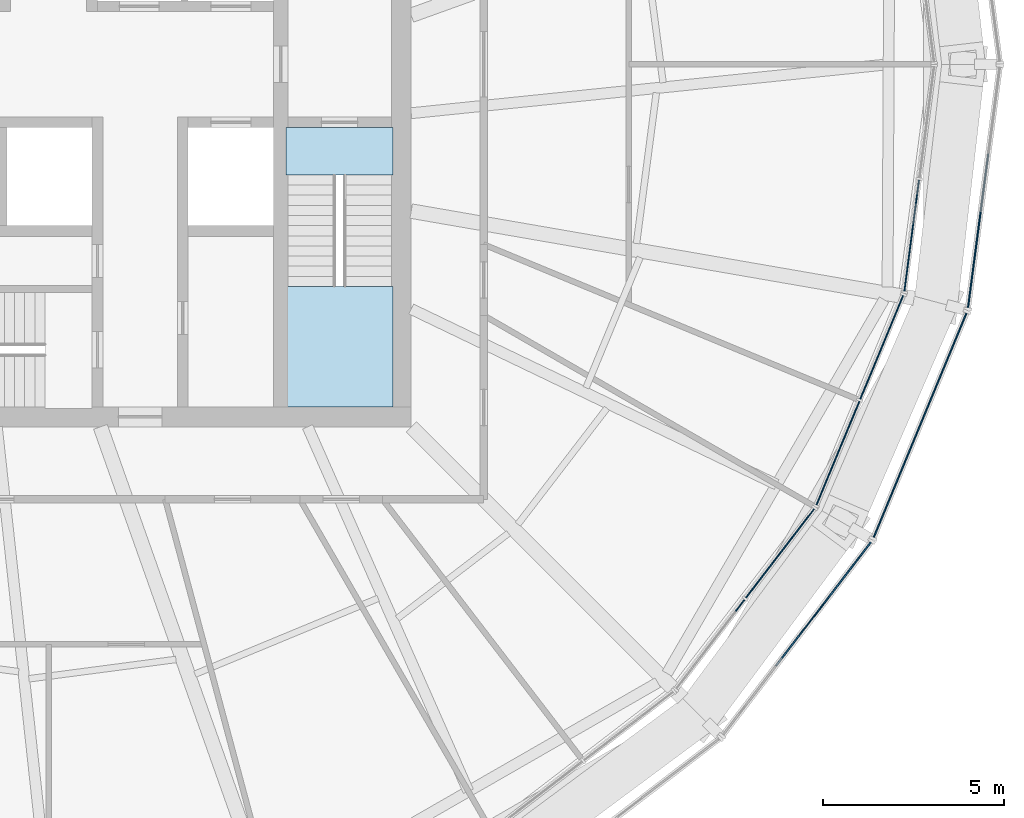
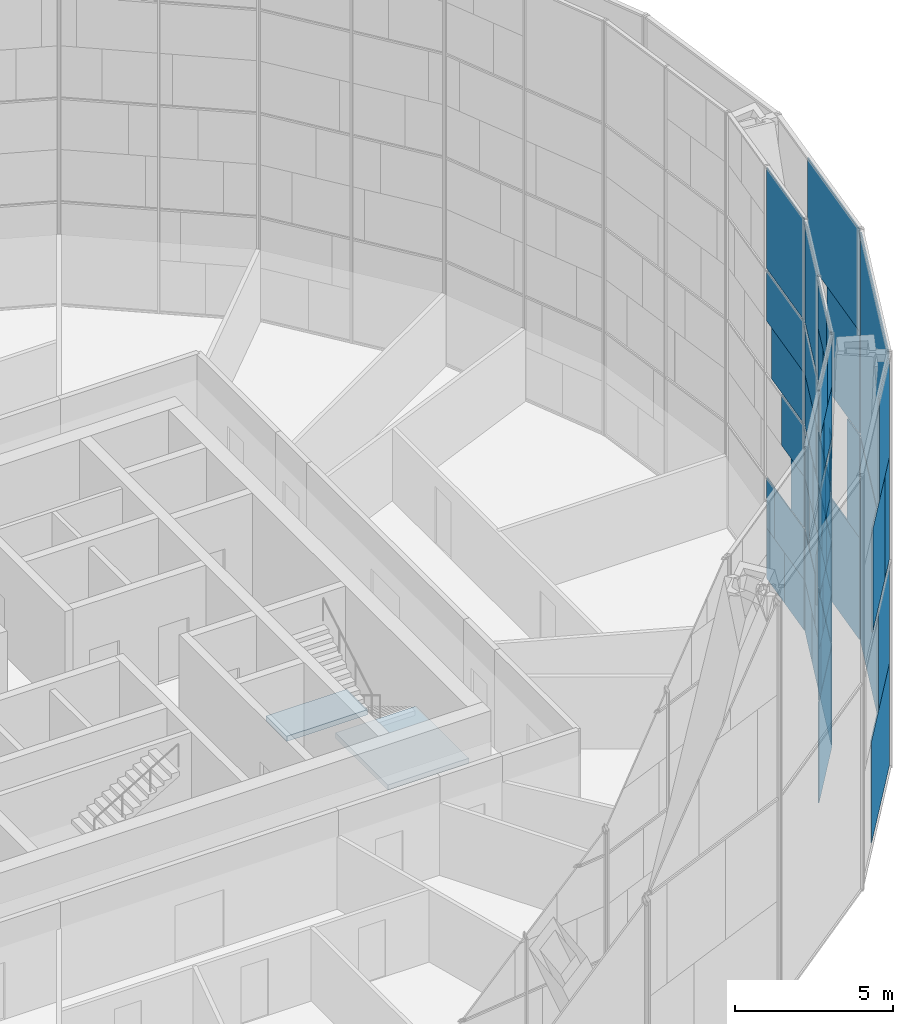
# One storey, part 18 of 28: 59 plates, 2 slabs, 7 elements without a shape of their own.
"""IFC4 building model written with IfcOpenShell, lengths in metres."""

from ifc_helpers import new_model, si_unit, direction, frame, origin, origin_2d, place, context, subcontext, project, spatial, polyline, rectangle, outline, extrude, material, layer, layer_set, type_object, element, aggregate, save


model = new_model("IFC4")

# Units and contexts
model_context = context("Model", 3, precision=1e-05, world=origin(), true_north=direction((0.0, 1.0)))
body_context = subcontext(model_context, "Body", "Model", "MODEL_VIEW")
ifc_project = project(units=[si_unit("LENGTHUNIT", "METRE"), si_unit("AREAUNIT", "SQUARE_METRE"), si_unit("VOLUMEUNIT", "CUBIC_METRE"), si_unit("PLANEANGLEUNIT", "RADIAN"), si_unit("MASSUNIT", "GRAM", prefix="KILO")], contexts=[model_context])

# Site, building, storey
site_placement = place(None, origin())
site = spatial("IfcSite", under=ifc_project, at=site_placement, CompositionType="ELEMENT")
building_placement = place(site_placement, origin())
building = spatial("IfcBuilding", under=site, at=building_placement, Name="Golbaran Civic Tower", CompositionType="ELEMENT")
storey_placement = place(building_placement, frame((0.0, 0.0, 134.0)))
storey = spatial("IfcBuildingStorey", under=building, at=storey_placement, Name="L32", CompositionType="ELEMENT", Elevation=134.0)

# Curtain wall, plates
ifc_material_1 = material(Name="Aluminium and glass", Category="aluminium")
curtain_wall_type_1 = type_object("IfcCurtainWallType", Name="INNER SKIN CURTAIN WALL", PredefinedType="NOTDEFINED", material=ifc_material_1)
curtain_wall_1_placement = place(storey_placement, origin())
curtain_wall_1 = element("IfcCurtainWall", 1, at=curtain_wall_1_placement, inside=storey, type_object=curtain_wall_type_1, Name="Inner skin L32 facet 22 CW1", ObjectType="INNER SKIN", PredefinedType="USERDEFINED")
ifc_material_2 = material(Name="Clear insulating glass", Category="glass")
ifc_layer_1 = layer(ifc_material_2, 0.031982421875, Name="Clear insulating glass")
ifc_layer_set_1 = layer_set([ifc_layer_1], Name="Clear insulating glass")
plate_type_1 = type_object("IfcPlateType", Name="INNER SKIN CURTAIN WALL GLAZED PANEL", PredefinedType="CURTAIN_PANEL", material=ifc_layer_set_1)
plate_1_placement = place(storey_placement, frame((20.17236328125, -13.489990234375, 0.06494140625), z_axis=(0.0, 0.0, 1.0), x_axis=(0.60876142905, 0.793353340259, 0.0)))
plate_1 = element("IfcPlate", 2, at=plate_1_placement, type_object=plate_type_1, Name="CW1 panel 2.1", PredefinedType="CURTAIN_PANEL", context=body_context, shape_type="SweptSolid", body=[
    extrude(rectangle(XDim=3.090576171875, YDim=0.031982421875, at=origin_2d()), origin(), (0.0, 0.0, 1.0), 3.902587890625),
])
plate_2_placement = place(storey_placement, frame((20.29443359375, -13.3310546875, 4.03271484375), z_axis=(0.0, 0.0, 1.0), x_axis=(0.60876142905, 0.793353340259, 0.0)))
plate_2 = element("IfcPlate", 3, at=plate_2_placement, type_object=plate_type_1, Name="CW1 panel 2.2 part 2", PredefinedType="CURTAIN_PANEL", context=body_context, shape_type="SweptSolid", body=[
    extrude(rectangle(XDim=2.689697265625, YDim=0.031982421875, at=origin_2d()), origin(), (0.0, 0.0, 1.0), 1.967529296875),
])
plate_3_placement = place(storey_placement, frame((20.458251953125, -13.11767578125, 6.0), z_axis=(0.0, 0.0, 1.0), x_axis=(0.60876142905, 0.793353340259, 0.0)))
plate_3 = element("IfcPlate", 4, at=plate_3_placement, type_object=plate_type_1, Name="CW1 panel 2.2 part 4", PredefinedType="CURTAIN_PANEL", context=body_context, shape_type="SweptSolid", body=[
    extrude(rectangle(XDim=2.151611328125, YDim=0.031982421875, at=origin_2d()), origin(), (0.0, 0.0, 1.0), 1.967529296875),
])
plate_4_placement = place(storey_placement, frame((20.713623046875, -12.78466796875, 8.03271484375), z_axis=(0.0, 0.0, 1.0), x_axis=(0.60876142905, 0.793353340259, 0.0)))
plate_4 = element("IfcPlate", 5, at=plate_4_placement, type_object=plate_type_1, Name="CW1 panel 2.3 part 2", PredefinedType="CURTAIN_PANEL", context=body_context, shape_type="SweptSolid", body=[
    extrude(rectangle(XDim=1.3125, YDim=0.031982421875, at=origin_2d()), origin(), (0.0, 0.0, 1.0), 1.967529296875),
])
plate_5_placement = place(storey_placement, frame((20.96044921875, -12.463134765625, 10.0), z_axis=(0.0, 0.0, 1.0), x_axis=(0.60876142905, 0.793353340259, 0.0)))
plate_5 = element("IfcPlate", 6, at=plate_5_placement, type_object=plate_type_1, Name="CW1 panel 2.3 part 4", PredefinedType="CURTAIN_PANEL", context=body_context, shape_type="SweptSolid", body=[
    extrude(rectangle(XDim=0.501708984375, YDim=0.031982421875, at=origin_2d()), origin(), (0.0, 0.0, 1.0), 1.967529296875),
])
plate_6_placement = place(storey_placement, frame((19.602294921875, -14.23291015625, 12.032470703125), z_axis=(0.0, 0.0, 1.0), x_axis=(0.60876142905, 0.793353340259, 0.0)))
plate_6 = element("IfcPlate", 7, at=plate_6_placement, type_object=plate_type_1, Name="CW1 panel 2.4 part 1", PredefinedType="CURTAIN_PANEL", context=body_context, shape_type="SweptSolid", body=[
    extrude(rectangle(XDim=1.218017578125, YDim=0.031982421875, at=origin_2d()), origin(), (0.0, 0.0, 1.0), 1.951171875),
])
plate_7_placement = place(storey_placement, frame((19.847412109375, -13.91357421875, 13.98388671875), z_axis=(0.0, 0.0, 1.0), x_axis=(0.60876142905, 0.793353340259, 0.0)))
plate_7 = element("IfcPlate", 8, at=plate_7_placement, type_object=plate_type_1, Name="CW1 panel 2.4 part 3", PredefinedType="CURTAIN_PANEL", context=body_context, shape_type="SweptSolid", body=[
    extrude(rectangle(XDim=2.02294921875, YDim=0.031982421875, at=origin_2d()), origin(), (0.0, 0.0, 1.0), 1.951171875),
])

curtain_wall_2_placement = place(storey_placement, origin())
curtain_wall_2 = element("IfcCurtainWall", 9, at=curtain_wall_2_placement, inside=storey, type_object=curtain_wall_type_1, Name="Inner skin L32 facet 23 CW1", ObjectType="INNER SKIN", PredefinedType="USERDEFINED")
plate_8_placement = place(storey_placement, frame((21.768798828125, -10.724853515625, 0.06494140625), z_axis=(0.0, 0.0, 1.0), x_axis=(0.38268343243, 0.923879532485, 0.0)))
plate_8 = element("IfcPlate", 10, at=plate_8_placement, type_object=plate_type_1, Name="CW1 panel 1.1", PredefinedType="CURTAIN_PANEL", context=body_context, shape_type="SweptSolid", body=[
    extrude(rectangle(XDim=3.090576171875, YDim=0.031982421875, at=origin_2d()), origin(), (0.0, 0.0, 1.0), 3.902587890625),
])
plate_9_placement = place(storey_placement, frame((21.692138671875, -10.910400390625, 4.03271484375), z_axis=(0.0, 0.0, 1.0), x_axis=(0.38268343243, 0.923879532485, 0.0)))
plate_9 = element("IfcPlate", 11, at=plate_9_placement, type_object=plate_type_1, Name="CW1 panel 1.2 part 1", PredefinedType="CURTAIN_PANEL", context=body_context, shape_type="SweptSolid", body=[
    extrude(rectangle(XDim=2.68896484375, YDim=0.031982421875, at=origin_2d()), origin(), (0.0, 0.0, 1.0), 1.967529296875),
])
plate_10_placement = place(storey_placement, frame((21.589111328125, -11.158935546875, 6.0), z_axis=(0.0, 0.0, 1.0), x_axis=(0.38268343243, 0.923879532485, 0.0)))
plate_10 = element("IfcPlate", 12, at=plate_10_placement, type_object=plate_type_1, Name="CW1 panel 1.2 part 3", PredefinedType="CURTAIN_PANEL", context=body_context, shape_type="SweptSolid", body=[
    extrude(rectangle(XDim=2.15087890625, YDim=0.031982421875, at=origin_2d()), origin(), (0.0, 0.0, 1.0), 1.967529296875),
])
plate_11_placement = place(storey_placement, frame((21.4287109375, -11.5458984375, 8.03271484375), z_axis=(0.0, 0.0, 1.0), x_axis=(0.38268343243, 0.923879532485, 0.0)))
plate_11 = element("IfcPlate", 13, at=plate_11_placement, type_object=plate_type_1, Name="CW1 panel 1.3 part 1", PredefinedType="CURTAIN_PANEL", context=body_context, shape_type="SweptSolid", body=[
    extrude(rectangle(XDim=1.31298828125, YDim=0.031982421875, at=origin_2d()), origin(), (0.0, 0.0, 1.0), 1.967529296875),
])
plate_12_placement = place(storey_placement, frame((21.2734375, -11.9208984375, 10.0), z_axis=(0.0, 0.0, 1.0), x_axis=(0.38268343243, 0.923879532485, 0.0)))
plate_12 = element("IfcPlate", 14, at=plate_12_placement, type_object=plate_type_1, Name="CW1 panel 1.3 part 3", PredefinedType="CURTAIN_PANEL", context=body_context, shape_type="SweptSolid", body=[
    extrude(rectangle(XDim=0.5009765625, YDim=0.031982421875, at=origin_2d()), origin(), (0.0, 0.0, 1.0), 1.967529296875),
])
plate_13_placement = place(storey_placement, frame((22.127197265625, -9.860107421875, 12.032470703125), z_axis=(0.0, 0.0, 1.0), x_axis=(0.38268343243, 0.923879532485, 0.0)))
plate_13 = element("IfcPlate", 15, at=plate_13_placement, type_object=plate_type_1, Name="CW1 panel 1.4 part 2", PredefinedType="CURTAIN_PANEL", context=body_context, shape_type="SweptSolid", body=[
    extrude(rectangle(XDim=1.218505859375, YDim=0.031982421875, at=origin_2d()), origin(), (0.0, 0.0, 1.0), 1.951171875),
])
plate_14_placement = place(storey_placement, frame((21.97314453125, -10.23193359375, 13.98388671875), z_axis=(0.0, 0.0, 1.0), x_axis=(0.38268343243, 0.923879532485, 0.0)))
plate_14 = element("IfcPlate", 16, at=plate_14_placement, type_object=plate_type_1, Name="CW1 panel 1.4 part 4", PredefinedType="CURTAIN_PANEL", context=body_context, shape_type="SweptSolid", body=[
    extrude(rectangle(XDim=2.023681640625, YDim=0.031982421875, at=origin_2d()), origin(), (0.0, 0.0, 1.0), 1.951171875),
])
plate_15_placement = place(storey_placement, frame((22.662841796875, -8.56689453125, 0.06494140625), z_axis=(0.0, 0.0, 1.0), x_axis=(0.38268343243, 0.923879532485, 0.0)))
plate_15 = element("IfcPlate", 17, at=plate_15_placement, type_object=plate_type_1, Name="CW1 panel 2.1 part 1", PredefinedType="CURTAIN_PANEL", context=body_context, shape_type="SweptSolid", body=[
    extrude(rectangle(XDim=1.450927734375, YDim=0.031982421875, at=origin_2d()), origin(), (0.0, 0.0, 1.0), 1.951171875),
])
plate_16_placement = place(storey_placement, frame((22.5087890625, -8.938720703125, 2.016357421875), z_axis=(0.0, 0.0, 1.0), x_axis=(0.38268343243, 0.923879532485, 0.0)))
plate_16 = element("IfcPlate", 18, at=plate_16_placement, type_object=plate_type_1, Name="CW1 panel 2.1 part 3", PredefinedType="CURTAIN_PANEL", context=body_context, shape_type="SweptSolid", body=[
    extrude(rectangle(XDim=0.64599609375, YDim=0.031982421875, at=origin_2d()), origin(), (0.0, 0.0, 1.0), 1.951171875),
])
plate_17_placement = place(storey_placement, frame((23.362548828125, -6.877685546875, 4.03271484375), z_axis=(0.0, 0.0, 1.0), x_axis=(0.38268343243, 0.923879532485, 0.0)))
plate_17 = element("IfcPlate", 19, at=plate_17_placement, type_object=plate_type_1, Name="CW1 panel 2.2 part 2", PredefinedType="CURTAIN_PANEL", context=body_context, shape_type="SweptSolid", body=[
    extrude(rectangle(XDim=1.073486328125, YDim=0.031982421875, at=origin_2d()), origin(), (0.0, 0.0, 1.0), 1.967529296875),
])
plate_18_placement = place(storey_placement, frame((23.207275390625, -7.252197265625, 6.0), z_axis=(0.0, 0.0, 1.0), x_axis=(0.38268343243, 0.923879532485, 0.0)))
plate_18 = element("IfcPlate", 20, at=plate_18_placement, type_object=plate_type_1, Name="CW1 panel 2.2 part 4", PredefinedType="CURTAIN_PANEL", context=body_context, shape_type="SweptSolid", body=[
    extrude(rectangle(XDim=1.884521484375, YDim=0.031982421875, at=origin_2d()), origin(), (0.0, 0.0, 1.0), 1.967529296875),
])
plate_19_placement = place(storey_placement, frame((23.05322265625, -7.6240234375, 8.03271484375), z_axis=(0.0, 0.0, 1.0), x_axis=(0.38268343243, 0.923879532485, 0.0)))
plate_19 = element("IfcPlate", 21, at=plate_19_placement, type_object=plate_type_1, Name="CW1 panel 2.3 part 2", PredefinedType="CURTAIN_PANEL", context=body_context, shape_type="SweptSolid", body=[
    extrude(rectangle(XDim=2.689697265625, YDim=0.031982421875, at=origin_2d()), origin(), (0.0, 0.0, 1.0), 1.967529296875),
])
plate_20_placement = place(storey_placement, frame((22.9765625, -7.809326171875, 10.0), z_axis=(0.0, 0.0, 1.0), x_axis=(0.38268343243, 0.923879532485, 0.0)))
plate_20 = element("IfcPlate", 22, at=plate_20_placement, type_object=plate_type_1, Name="CW1 panel 2.3 part 3", PredefinedType="CURTAIN_PANEL", context=body_context, shape_type="SweptSolid", body=[
    extrude(rectangle(XDim=3.090576171875, YDim=0.031982421875, at=origin_2d()), origin(), (0.0, 0.0, 1.0), 1.967529296875),
])
plate_21_placement = place(storey_placement, frame((22.9765625, -7.809326171875, 12.0322265625), z_axis=(0.0, 0.0, 1.0), x_axis=(0.38268343243, 0.923879532485, 0.0)))
plate_21 = element("IfcPlate", 23, at=plate_21_placement, type_object=plate_type_1, Name="CW1 panel 2.4", PredefinedType="CURTAIN_PANEL", context=body_context, shape_type="SweptSolid", body=[
    extrude(rectangle(XDim=3.090576171875, YDim=0.031982421875, at=origin_2d()), origin(), (0.0, 0.0, 1.0), 3.902587890625),
])

curtain_wall_3_placement = place(storey_placement, origin())
curtain_wall_3 = element("IfcCurtainWall", 24, at=curtain_wall_3_placement, inside=storey, type_object=curtain_wall_type_1, Name="Inner skin L32 facet 24 CW1", ObjectType="INNER SKIN", PredefinedType="USERDEFINED")
plate_22_placement = place(storey_placement, frame((23.909912109375, -3.91259765625, 0.06494140625), z_axis=(0.0, 0.0, 1.0), x_axis=(0.130526192237, 0.991444861372, 0.0)))
plate_22 = element("IfcPlate", 25, at=plate_22_placement, type_object=plate_type_1, Name="CW1 panel 1.1 part 2", PredefinedType="CURTAIN_PANEL", context=body_context, shape_type="SweptSolid", body=[
    extrude(rectangle(XDim=1.45166015625, YDim=0.031982421875, at=origin_2d()), origin(), (0.0, 0.0, 1.0), 1.951171875),
])
plate_23_placement = place(storey_placement, frame((23.96240234375, -3.513671875, 2.016357421875), z_axis=(0.0, 0.0, 1.0), x_axis=(0.130526192237, 0.991444861372, 0.0)))
plate_23 = element("IfcPlate", 26, at=plate_23_placement, type_object=plate_type_1, Name="CW1 panel 1.1 part 4", PredefinedType="CURTAIN_PANEL", context=body_context, shape_type="SweptSolid", body=[
    extrude(rectangle(XDim=0.646484375, YDim=0.031982421875, at=origin_2d()), origin(), (0.0, 0.0, 1.0), 1.951171875),
])
plate_24_placement = place(storey_placement, frame((23.671142578125, -5.725341796875, 4.03271484375), z_axis=(0.0, 0.0, 1.0), x_axis=(0.130526192237, 0.991444861372, 0.0)))
plate_24 = element("IfcPlate", 27, at=plate_24_placement, type_object=plate_type_1, Name="CW1 panel 1.2 part 1", PredefinedType="CURTAIN_PANEL", context=body_context, shape_type="SweptSolid", body=[
    extrude(rectangle(XDim=1.072998046875, YDim=0.031982421875, at=origin_2d()), origin(), (0.0, 0.0, 1.0), 1.967529296875),
])
plate_25_placement = place(storey_placement, frame((23.724365234375, -5.32275390625, 6.0), z_axis=(0.0, 0.0, 1.0), x_axis=(0.130526192237, 0.991444861372, 0.0)))
plate_25 = element("IfcPlate", 28, at=plate_25_placement, type_object=plate_type_1, Name="CW1 panel 1.2 part 3", PredefinedType="CURTAIN_PANEL", context=body_context, shape_type="SweptSolid", body=[
    extrude(rectangle(XDim=1.885009765625, YDim=0.031982421875, at=origin_2d()), origin(), (0.0, 0.0, 1.0), 1.967529296875),
])
plate_26_placement = place(storey_placement, frame((23.776611328125, -4.92431640625, 8.03271484375), z_axis=(0.0, 0.0, 1.0), x_axis=(0.130526192237, 0.991444861372, 0.0)))
plate_26 = element("IfcPlate", 29, at=plate_26_placement, type_object=plate_type_1, Name="CW1 panel 1.3 part 1", PredefinedType="CURTAIN_PANEL", context=body_context, shape_type="SweptSolid", body=[
    extrude(rectangle(XDim=2.68896484375, YDim=0.031982421875, at=origin_2d()), origin(), (0.0, 0.0, 1.0), 1.967529296875),
])
plate_27_placement = place(storey_placement, frame((23.802978515625, -4.72509765625, 10.0), z_axis=(0.0, 0.0, 1.0), x_axis=(0.130526192237, 0.991444861372, 0.0)))
plate_27 = element("IfcPlate", 30, at=plate_27_placement, type_object=plate_type_1, Name="CW1 panel 1.3 part 3", PredefinedType="CURTAIN_PANEL", context=body_context, shape_type="SweptSolid", body=[
    extrude(rectangle(XDim=3.090576171875, YDim=0.031982421875, at=origin_2d()), origin(), (0.0, 0.0, 1.0), 1.967529296875),
])
plate_28_placement = place(storey_placement, frame((23.802978515625, -4.72509765625, 12.0322265625), z_axis=(0.0, 0.0, 1.0), x_axis=(0.130526192237, 0.991444861372, 0.0)))
plate_28 = element("IfcPlate", 31, at=plate_28_placement, type_object=plate_type_1, Name="CW1 panel 1.4", PredefinedType="CURTAIN_PANEL", context=body_context, shape_type="SweptSolid", body=[
    extrude(rectangle(XDim=3.090576171875, YDim=0.031982421875, at=origin_2d()), origin(), (0.0, 0.0, 1.0), 3.902587890625),
])

# Plate
ifc_material_3 = material(Name="Aluminium faced opaque infill panel", Category="aluminium")
ifc_layer_2 = layer(ifc_material_3, 0.031982421875, Name="Aluminium faced opaque infill panel")
ifc_layer_set_2 = layer_set([ifc_layer_2], Name="Aluminium faced opaque infill panel")
plate_type_2 = type_object("IfcPlateType", Name="INNER SKIN CURTAIN WALL OPAQUE INFILL PANEL", PredefinedType="CURTAIN_PANEL", material=ifc_layer_set_2)
plate_29_placement = place(storey_placement, frame((19.06982421875, -14.927001953125, 8.03271484375), z_axis=(0.0, 0.0, 1.0), x_axis=(0.60876142905, 0.793353340259, 0.0)))
plate_29 = element("IfcPlate", 32, at=plate_29_placement, type_object=plate_type_2, Name="CW1 infill panel 1.3 part 2", PredefinedType="CURTAIN_PANEL", context=body_context, shape_type="SweptSolid", body=[
    extrude(rectangle(XDim=0.401611328125, YDim=0.031982421875, at=origin_2d()), origin(), (0.0, 0.0, 1.0), 1.967529296875),
])

plate_30_placement = place(storey_placement, frame((19.353759765625, -14.556884765625, 4.03271484375), z_axis=(0.0, 0.0, 1.0), x_axis=(0.60876142905, 0.793353340259, 0.0)))
plate_30 = element("IfcPlate", 33, at=plate_30_placement, type_object=plate_type_2, Name="CW1 infill panel 2.2 part 1", PredefinedType="CURTAIN_PANEL", context=body_context, shape_type="SweptSolid", body=[
    extrude(rectangle(XDim=0.40087890625, YDim=0.031982421875, at=origin_2d()), origin(), (0.0, 0.0, 1.0), 1.967529296875),
])

plate_31_placement = place(storey_placement, frame((19.517578125, -14.343505859375, 6.0), z_axis=(0.0, 0.0, 1.0), x_axis=(0.60876142905, 0.793353340259, 0.0)))
plate_31 = element("IfcPlate", 34, at=plate_31_placement, type_object=plate_type_2, Name="CW1 infill panel 2.2 part 3", PredefinedType="CURTAIN_PANEL", context=body_context, shape_type="SweptSolid", body=[
    extrude(rectangle(XDim=0.93896484375, YDim=0.031982421875, at=origin_2d()), origin(), (0.0, 0.0, 1.0), 1.967529296875),
])

plate_32_placement = place(storey_placement, frame((19.77294921875, -14.0107421875, 8.03271484375), z_axis=(0.0, 0.0, 1.0), x_axis=(0.60876142905, 0.793353340259, 0.0)))
plate_32 = element("IfcPlate", 35, at=plate_32_placement, type_object=plate_type_2, Name="CW1 infill panel 2.3 part 1", PredefinedType="CURTAIN_PANEL", context=body_context, shape_type="SweptSolid", body=[
    extrude(rectangle(XDim=1.778076171875, YDim=0.031982421875, at=origin_2d()), origin(), (0.0, 0.0, 1.0), 1.967529296875),
])

plate_33_placement = place(storey_placement, frame((20.019775390625, -13.68896484375, 10.0), z_axis=(0.0, 0.0, 1.0), x_axis=(0.60876142905, 0.793353340259, 0.0)))
plate_33 = element("IfcPlate", 36, at=plate_33_placement, type_object=plate_type_2, Name="CW1 infill panel 2.3 part 3", PredefinedType="CURTAIN_PANEL", context=body_context, shape_type="SweptSolid", body=[
    extrude(rectangle(XDim=2.589111328125, YDim=0.031982421875, at=origin_2d()), origin(), (0.0, 0.0, 1.0), 1.967529296875),
])

plate_34_placement = place(storey_placement, frame((20.543212890625, -13.0068359375, 12.032470703125), z_axis=(0.0, 0.0, 1.0), x_axis=(0.60876142905, 0.793353340259, 0.0)))
plate_34 = element("IfcPlate", 37, at=plate_34_placement, type_object=plate_type_2, Name="CW1 infill panel 2.4 part 2", PredefinedType="CURTAIN_PANEL", context=body_context, shape_type="SweptSolid", body=[
    extrude(rectangle(XDim=1.87255859375, YDim=0.031982421875, at=origin_2d()), origin(), (0.0, 0.0, 1.0), 1.951171875),
])

plate_35_placement = place(storey_placement, frame((20.7880859375, -12.6875, 13.98388671875), z_axis=(0.0, 0.0, 1.0), x_axis=(0.60876142905, 0.793353340259, 0.0)))
plate_35 = element("IfcPlate", 38, at=plate_35_placement, type_object=plate_type_2, Name="CW1 infill panel 2.4 part 4", PredefinedType="CURTAIN_PANEL", context=body_context, shape_type="SweptSolid", body=[
    extrude(rectangle(XDim=1.067626953125, YDim=0.031982421875, at=origin_2d()), origin(), (0.0, 0.0, 1.0), 1.951171875),
])

aggregate(curtain_wall_1, [plate_29, plate_1, plate_30, plate_2, plate_31, plate_3, plate_32, plate_4, plate_33, plate_5, plate_6, plate_34, plate_7, plate_35])

plate_36_placement = place(storey_placement, frame((22.283447265625, -9.482666015625, 4.03271484375), z_axis=(0.0, 0.0, 1.0), x_axis=(0.38268343243, 0.923879532485, 0.0)))
plate_36 = element("IfcPlate", 39, at=plate_36_placement, type_object=plate_type_2, Name="CW1 infill panel 1.2 part 2", PredefinedType="CURTAIN_PANEL", context=body_context, shape_type="SweptSolid", body=[
    extrude(rectangle(XDim=0.401611328125, YDim=0.031982421875, at=origin_2d()), origin(), (0.0, 0.0, 1.0), 1.967529296875),
])

plate_37_placement = place(storey_placement, frame((22.180419921875, -9.731201171875, 6.0), z_axis=(0.0, 0.0, 1.0), x_axis=(0.38268343243, 0.923879532485, 0.0)))
plate_37 = element("IfcPlate", 40, at=plate_37_placement, type_object=plate_type_2, Name="CW1 infill panel 1.2 part 4", PredefinedType="CURTAIN_PANEL", context=body_context, shape_type="SweptSolid", body=[
    extrude(rectangle(XDim=0.939697265625, YDim=0.031982421875, at=origin_2d()), origin(), (0.0, 0.0, 1.0), 1.967529296875),
])

plate_38_placement = place(storey_placement, frame((22.02001953125, -10.1181640625, 8.03271484375), z_axis=(0.0, 0.0, 1.0), x_axis=(0.38268343243, 0.923879532485, 0.0)))
plate_38 = element("IfcPlate", 41, at=plate_38_placement, type_object=plate_type_2, Name="CW1 infill panel 1.3 part 2", PredefinedType="CURTAIN_PANEL", context=body_context, shape_type="SweptSolid", body=[
    extrude(rectangle(XDim=1.777587890625, YDim=0.031982421875, at=origin_2d()), origin(), (0.0, 0.0, 1.0), 1.967529296875),
])

plate_39_placement = place(storey_placement, frame((21.86474609375, -10.493408203125, 10.0), z_axis=(0.0, 0.0, 1.0), x_axis=(0.38268343243, 0.923879532485, 0.0)))
plate_39 = element("IfcPlate", 42, at=plate_39_placement, type_object=plate_type_2, Name="CW1 infill panel 1.3 part 4", PredefinedType="CURTAIN_PANEL", context=body_context, shape_type="SweptSolid", body=[
    extrude(rectangle(XDim=2.589599609375, YDim=0.031982421875, at=origin_2d()), origin(), (0.0, 0.0, 1.0), 1.967529296875),
])

plate_40_placement = place(storey_placement, frame((21.53564453125, -11.28759765625, 12.032470703125), z_axis=(0.0, 0.0, 1.0), x_axis=(0.38268343243, 0.923879532485, 0.0)))
plate_40 = element("IfcPlate", 43, at=plate_40_placement, type_object=plate_type_2, Name="CW1 infill panel 1.4 part 1", PredefinedType="CURTAIN_PANEL", context=body_context, shape_type="SweptSolid", body=[
    extrude(rectangle(XDim=1.8720703125, YDim=0.031982421875, at=origin_2d()), origin(), (0.0, 0.0, 1.0), 1.951171875),
])

plate_41_placement = place(storey_placement, frame((21.381591796875, -11.65966796875, 13.98388671875), z_axis=(0.0, 0.0, 1.0), x_axis=(0.38268343243, 0.923879532485, 0.0)))
plate_41 = element("IfcPlate", 44, at=plate_41_placement, type_object=plate_type_2, Name="CW1 infill panel 1.4 part 3", PredefinedType="CURTAIN_PANEL", context=body_context, shape_type="SweptSolid", body=[
    extrude(rectangle(XDim=1.06689453125, YDim=0.031982421875, at=origin_2d()), origin(), (0.0, 0.0, 1.0), 1.951171875),
])

plate_42_placement = place(storey_placement, frame((23.254150390625, -7.13916015625, 0.06494140625), z_axis=(0.0, 0.0, 1.0), x_axis=(0.38268343243, 0.923879532485, 0.0)))
plate_42 = element("IfcPlate", 45, at=plate_42_placement, type_object=plate_type_2, Name="CW1 infill panel 2.1 part 2", PredefinedType="CURTAIN_PANEL", context=body_context, shape_type="SweptSolid", body=[
    extrude(rectangle(XDim=1.6396484375, YDim=0.031982421875, at=origin_2d()), origin(), (0.0, 0.0, 1.0), 1.951171875),
])

plate_43_placement = place(storey_placement, frame((23.10009765625, -7.510986328125, 2.016357421875), z_axis=(0.0, 0.0, 1.0), x_axis=(0.38268343243, 0.923879532485, 0.0)))
plate_43 = element("IfcPlate", 46, at=plate_43_placement, type_object=plate_type_2, Name="CW1 infill panel 2.1 part 4", PredefinedType="CURTAIN_PANEL", context=body_context, shape_type="SweptSolid", body=[
    extrude(rectangle(XDim=2.444580078125, YDim=0.031982421875, at=origin_2d()), origin(), (0.0, 0.0, 1.0), 1.951171875),
])

plate_44_placement = place(storey_placement, frame((22.77099609375, -8.305419921875, 4.03271484375), z_axis=(0.0, 0.0, 1.0), x_axis=(0.38268343243, 0.923879532485, 0.0)))
plate_44 = element("IfcPlate", 47, at=plate_44_placement, type_object=plate_type_2, Name="CW1 infill panel 2.2 part 1", PredefinedType="CURTAIN_PANEL", context=body_context, shape_type="SweptSolid", body=[
    extrude(rectangle(XDim=2.01708984375, YDim=0.031982421875, at=origin_2d()), origin(), (0.0, 0.0, 1.0), 1.967529296875),
])

plate_45_placement = place(storey_placement, frame((22.615966796875, -8.679931640625, 6.0), z_axis=(0.0, 0.0, 1.0), x_axis=(0.38268343243, 0.923879532485, 0.0)))
plate_45 = element("IfcPlate", 48, at=plate_45_placement, type_object=plate_type_2, Name="CW1 infill panel 2.2 part 3", PredefinedType="CURTAIN_PANEL", context=body_context, shape_type="SweptSolid", body=[
    extrude(rectangle(XDim=1.2060546875, YDim=0.031982421875, at=origin_2d()), origin(), (0.0, 0.0, 1.0), 1.967529296875),
])

plate_46_placement = place(storey_placement, frame((22.4619140625, -9.0517578125, 8.03271484375), z_axis=(0.0, 0.0, 1.0), x_axis=(0.38268343243, 0.923879532485, 0.0)))
plate_46 = element("IfcPlate", 49, at=plate_46_placement, type_object=plate_type_2, Name="CW1 infill panel 2.3 part 1", PredefinedType="CURTAIN_PANEL", context=body_context, shape_type="SweptSolid", body=[
    extrude(rectangle(XDim=0.40087890625, YDim=0.031982421875, at=origin_2d()), origin(), (0.0, 0.0, 1.0), 1.967529296875),
])

aggregate(curtain_wall_2, [plate_8, plate_9, plate_36, plate_10, plate_37, plate_11, plate_38, plate_12, plate_39, plate_40, plate_13, plate_41, plate_14, plate_15, plate_42, plate_16, plate_43, plate_44, plate_17, plate_45, plate_18, plate_46, plate_19, plate_20, plate_21])

plate_47_placement = place(storey_placement, frame((23.708251953125, -5.44482421875, 0.06494140625), z_axis=(0.0, 0.0, 1.0), x_axis=(0.130526192237, 0.991444861372, 0.0)))
plate_47 = element("IfcPlate", 50, at=plate_47_placement, type_object=plate_type_2, Name="CW1 infill panel 1.1 part 1", PredefinedType="CURTAIN_PANEL", context=body_context, shape_type="SweptSolid", body=[
    extrude(rectangle(XDim=1.638916015625, YDim=0.031982421875, at=origin_2d()), origin(), (0.0, 0.0, 1.0), 1.951171875),
])

plate_48_placement = place(storey_placement, frame((23.7607421875, -5.045654296875, 2.016357421875), z_axis=(0.0, 0.0, 1.0), x_axis=(0.130526192237, 0.991444861372, 0.0)))
plate_48 = element("IfcPlate", 51, at=plate_48_placement, type_object=plate_type_2, Name="CW1 infill panel 1.1 part 3", PredefinedType="CURTAIN_PANEL", context=body_context, shape_type="SweptSolid", body=[
    extrude(rectangle(XDim=2.444091796875, YDim=0.031982421875, at=origin_2d()), origin(), (0.0, 0.0, 1.0), 1.951171875),
])

aggregate(curtain_wall_3, [plate_47, plate_22, plate_48, plate_23, plate_24, plate_25, plate_26, plate_27, plate_28])

# Curtain wall, plates
curtain_wall_type_2 = type_object("IfcCurtainWallType", Name="OUTER SKIN TERRACOTTA SCREEN", PredefinedType="NOTDEFINED", material=ifc_material_1)
curtain_wall_4_placement = place(storey_placement, origin())
curtain_wall_4 = element("IfcCurtainWall", 52, at=curtain_wall_4_placement, inside=storey, type_object=curtain_wall_type_2, Name="Outer skin L32 facet 22 CW3", ObjectType="OUTER SKIN", PredefinedType="USERDEFINED")
ifc_material_4 = material(Name="Clear laminated glass", Category="glass")
ifc_layer_3 = layer(ifc_material_4, 0.0400390625, Name="Clear laminated glass")
ifc_layer_set_3 = layer_set([ifc_layer_3], Name="Clear laminated glass")
plate_type_3 = type_object("IfcPlateType", Name="OUTER SKIN CLEAR GLASS PANEL", PredefinedType="CURTAIN_PANEL", material=ifc_layer_set_3)
plate_49_placement = place(storey_placement, frame((21.368408203125, -14.88720703125, -0.6298828125), z_axis=(0.0, 0.0, 1.0), x_axis=(0.608761429036, 0.79335334027, 0.0)))
plate_49 = element("IfcPlate", 53, at=plate_49_placement, type_object=plate_type_3, Name="CW3 panel 1.1 part 2", PredefinedType="CURTAIN_PANEL", context=body_context, shape_type="SweptSolid", body=[
    extrude(rectangle(XDim=4.294921875, YDim=0.0400390625, at=origin_2d()), origin(), (0.0, 0.0, 1.0), 3.93994140625),
])
plate_50_placement = place(storey_placement, frame((21.863525390625, -14.2421875, 3.31005859375), z_axis=(0.0, 0.0, 1.0), x_axis=(0.608761429036, 0.79335334027, 0.0)))
plate_50 = element("IfcPlate", 54, at=plate_50_placement, type_object=plate_type_3, Name="CW3 panel 1.1 part 5", PredefinedType="CURTAIN_PANEL", context=body_context, shape_type="SweptSolid", body=[
    extrude(rectangle(XDim=2.6689453125, YDim=0.0400390625, at=origin_2d()), origin(), (0.0, 0.0, 1.0), 3.93994140625),
])
plate_51_placement = place(storey_placement, frame((22.3681640625, -13.58447265625, 7.330078125), z_axis=(0.0, 0.0, 1.0), x_axis=(0.608761429036, 0.79335334027, 0.0)))
plate_51 = element("IfcPlate", 55, at=plate_51_placement, type_object=plate_type_3, Name="CW3 panel 1.2 part 3", PredefinedType="CURTAIN_PANEL", context=body_context, shape_type="SweptSolid", body=[
    extrude(rectangle(XDim=1.010986328125, YDim=0.0400390625, at=origin_2d()), origin(), (0.0, 0.0, 1.0), 3.93994140625),
])

curtain_wall_5_placement = place(storey_placement, origin())
curtain_wall_5 = element("IfcCurtainWall", 56, at=curtain_wall_5_placement, inside=storey, type_object=curtain_wall_type_2, Name="Outer skin L32 facet 24 CW3", ObjectType="OUTER SKIN", PredefinedType="USERDEFINED")
plate_52_placement = place(storey_placement, frame((25.42138671875, -6.2177734375, 3.31005859375), z_axis=(0.0, 0.0, 1.0), x_axis=(0.130526192203, 0.991444861376, 0.0)))
plate_52 = element("IfcPlate", 57, at=plate_52_placement, type_object=plate_type_3, Name="CW3 panel 1.1 part 3", PredefinedType="CURTAIN_PANEL", context=body_context, shape_type="SweptSolid", body=[
    extrude(rectangle(XDim=0.9970703125, YDim=0.0400390625, at=origin_2d()), origin(), (0.0, 0.0, 1.0), 3.93994140625),
])
plate_53_placement = place(storey_placement, frame((25.52978515625, -5.3955078125, 7.330078125), z_axis=(0.0, 0.0, 1.0), x_axis=(0.130526192203, 0.991444861376, 0.0)))
plate_53 = element("IfcPlate", 58, at=plate_53_placement, type_object=plate_type_3, Name="CW3 panel 1.2 part 1", PredefinedType="CURTAIN_PANEL", context=body_context, shape_type="SweptSolid", body=[
    extrude(rectangle(XDim=2.656005859375, YDim=0.0400390625, at=origin_2d()), origin(), (0.0, 0.0, 1.0), 3.93994140625),
])
plate_54_placement = place(storey_placement, frame((25.6357421875, -4.58935546875, 11.27001953125), z_axis=(0.0, 0.0, 1.0), x_axis=(0.130526192203, 0.991444861376, 0.0)))
plate_54 = element("IfcPlate", 59, at=plate_54_placement, type_object=plate_type_3, Name="CW3 panel 1.2 part 4", PredefinedType="CURTAIN_PANEL", context=body_context, shape_type="SweptSolid", body=[
    extrude(rectangle(XDim=4.281982421875, YDim=0.0400390625, at=origin_2d()), origin(), (0.0, 0.0, 1.0), 3.93994140625),
])

# Plate
ifc_material_5 = material(Name="Terracotta baguette screen", Category="masonry")
ifc_layer_4 = layer(ifc_material_5, 0.0400390625, Name="Terracotta baguette screen")
ifc_layer_set_4 = layer_set([ifc_layer_4], Name="Terracotta baguette screen")
plate_type_4 = type_object("IfcPlateType", Name="OUTER SKIN TERRACOTTA INFILL PANEL", PredefinedType="CURTAIN_PANEL", material=ifc_layer_set_4)
plate_55_placement = place(storey_placement, frame((21.14013671875, -15.184814453125, 7.330078125), z_axis=(0.0, 0.0, 1.0), x_axis=(0.608761429036, 0.79335334027, 0.0)))
plate_55 = element("IfcPlate", 60, at=plate_55_placement, type_object=plate_type_4, Name="CW3 infill panel 1.2 part 2", PredefinedType="CURTAIN_PANEL", context=body_context, shape_type="SweptSolid", body=[
    extrude(rectangle(XDim=3.02294921875, YDim=0.0400390625, at=origin_2d()), origin(), (0.0, 0.0, 1.0), 3.93994140625),
])

plate_56_placement = place(storey_placement, frame((21.94287109375, -14.138671875, 11.27001953125), z_axis=(0.0, 0.0, 1.0), x_axis=(0.608761429036, 0.79335334027, 0.0)))
plate_56 = element("IfcPlate", 61, at=plate_56_placement, type_object=plate_type_4, Name="CW3 infill panel 1.2 part 5", PredefinedType="CURTAIN_PANEL", context=body_context, shape_type="SweptSolid", body=[
    extrude(rectangle(XDim=2.407958984375, YDim=0.0400390625, at=origin_2d()), origin(), (0.0, 0.0, 1.0), 3.93994140625),
])

aggregate(curtain_wall_4, [plate_49, plate_50, plate_55, plate_51, plate_56])

plate_57_placement = place(storey_placement, frame((25.5126953125, -5.52490234375, -0.6298828125), z_axis=(0.0, 0.0, 1.0), x_axis=(0.130526192203, 0.991444861376, 0.0)))
plate_57 = element("IfcPlate", 62, at=plate_57_placement, type_object=plate_type_4, Name="CW3 infill panel 1.1 part 1", PredefinedType="CURTAIN_PANEL", context=body_context, shape_type="SweptSolid", body=[
    extrude(rectangle(XDim=2.39501953125, YDim=0.0400390625, at=origin_2d()), origin(), (0.0, 0.0, 1.0), 3.93994140625),
])

aggregate(curtain_wall_5, [plate_57, plate_52, plate_53, plate_54])

# Curtain wall, plates
curtain_wall_6_placement = place(storey_placement, origin())
curtain_wall_6 = element("IfcCurtainWall", 63, at=curtain_wall_6_placement, inside=storey, type_object=curtain_wall_type_2, Name="Outer skin L32 facet 23 CW3", ObjectType="OUTER SKIN", PredefinedType="USERDEFINED")
ifc_layer_5 = layer(ifc_material_5, 0.0400390625, Name="Terracotta baguette screen")
ifc_layer_set_5 = layer_set([ifc_layer_5], Name="Terracotta baguette screen")
plate_type_5 = type_object("IfcPlateType", Name="OUTER SKIN TERRACOTTA SCREEN PANEL", PredefinedType="CURTAIN_PANEL", material=ifc_layer_set_5)
plate_58_placement = place(storey_placement, frame((24.03515625, -9.955810546875, -0.6298828125), z_axis=(0.0, 0.0, 1.0), x_axis=(0.382683432397, 0.923879532498, 0.0)))
plate_58 = element("IfcPlate", 64, at=plate_58_placement, type_object=plate_type_5, Name="CW3 terracotta screen panel 1.1", PredefinedType="CURTAIN_PANEL", context=body_context, shape_type="SweptSolid", body=[
    extrude(rectangle(XDim=6.68994140625, YDim=0.0400390625, at=origin_2d()), origin(), (0.0, 0.0, 1.0), 7.8798828125),
])
plate_59_placement = place(storey_placement, frame((24.03515625, -9.955810546875, 7.330078125), z_axis=(0.0, 0.0, 1.0), x_axis=(0.382683432397, 0.923879532498, 0.0)))
plate_59 = element("IfcPlate", 65, at=plate_59_placement, type_object=plate_type_5, Name="CW3 terracotta screen panel 1.2", PredefinedType="CURTAIN_PANEL", context=body_context, shape_type="SweptSolid", body=[
    extrude(rectangle(XDim=6.68994140625, YDim=0.0400390625, at=origin_2d()), origin(), (0.0, 0.0, 1.0), 7.8798828125),
])
aggregate(curtain_wall_6, [plate_58, plate_59])

# Stair, slab
ifc_material_6 = material(Name="Concrete C35/45", Category="concrete")
stair_type = type_object("IfcStairType", Name="EXIT STAIR 2850 x 7700, 4000 RISE", PredefinedType="HALF_TURN_STAIR", material=ifc_material_6)
stair_placement = place(storey_placement, origin())
stair = element("IfcStair", 66, at=stair_placement, inside=storey, type_object=stair_type, Name="Stair S2 L32", PredefinedType="HALF_TURN_STAIR")
ifc_layer_6 = layer(ifc_material_6, 0.199951171875, Name="Concrete C35/45")
ifc_layer_set_6 = layer_set([ifc_layer_6], Name="Concrete C35/45")
slab_type = type_object("IfcSlabType", Name="STAIR LANDING 200", PredefinedType="LANDING", material=ifc_layer_set_6)
slab_1_placement = place(storey_placement, frame((0.0, 0.0, 1.800048828125)))
slab_1 = element("IfcSlab", 67, at=slab_1_placement, type_object=slab_type, Name="ST28577-40 landing 1", PredefinedType="LANDING", context=body_context, shape_type="SweptSolid", body=[
    extrude(outline(polyline([(9.5, -6.125), (9.5, -9.449951171875), (6.550048828125, -9.449951171875), (6.550048828125, -6.125), (9.5, -6.125)])), origin(), (0.0, 0.0, 1.0), 0.199951171875),
])
aggregate(stair, [slab_1])

# Slab
slab_2_placement = place(storey_placement, frame((0.0, 0.0, -0.199951171875)))
element("IfcSlab", 68, at=slab_2_placement, inside=storey, type_object=slab_type, Name="Stair S2 floor landing L32", PredefinedType="LANDING", context=body_context, shape_type="SweptSolid", body=[
    extrude(outline(polyline([(9.5, -1.75), (9.5, -3.054931640625), (6.550048828125, -3.054931640625), (6.550048828125, -1.75), (9.5, -1.75)])), origin(), (0.0, 0.0, 1.0), 0.199951171875),
])

save(model, "model.ifc")
